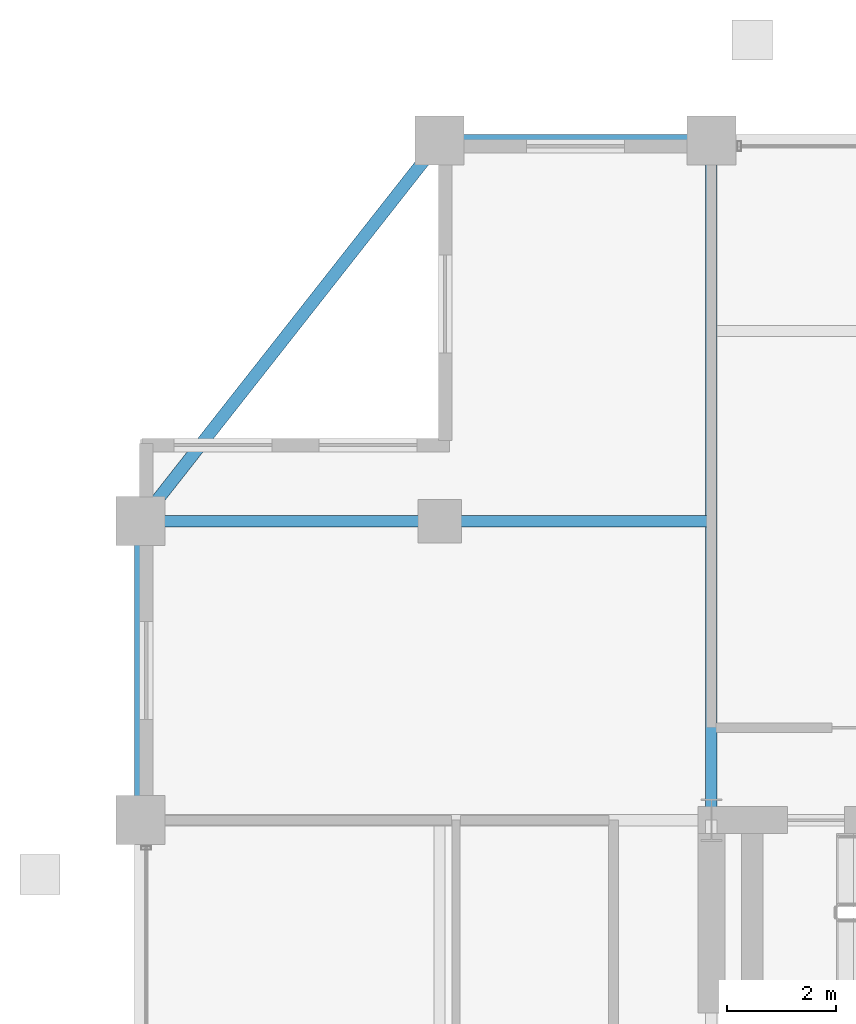
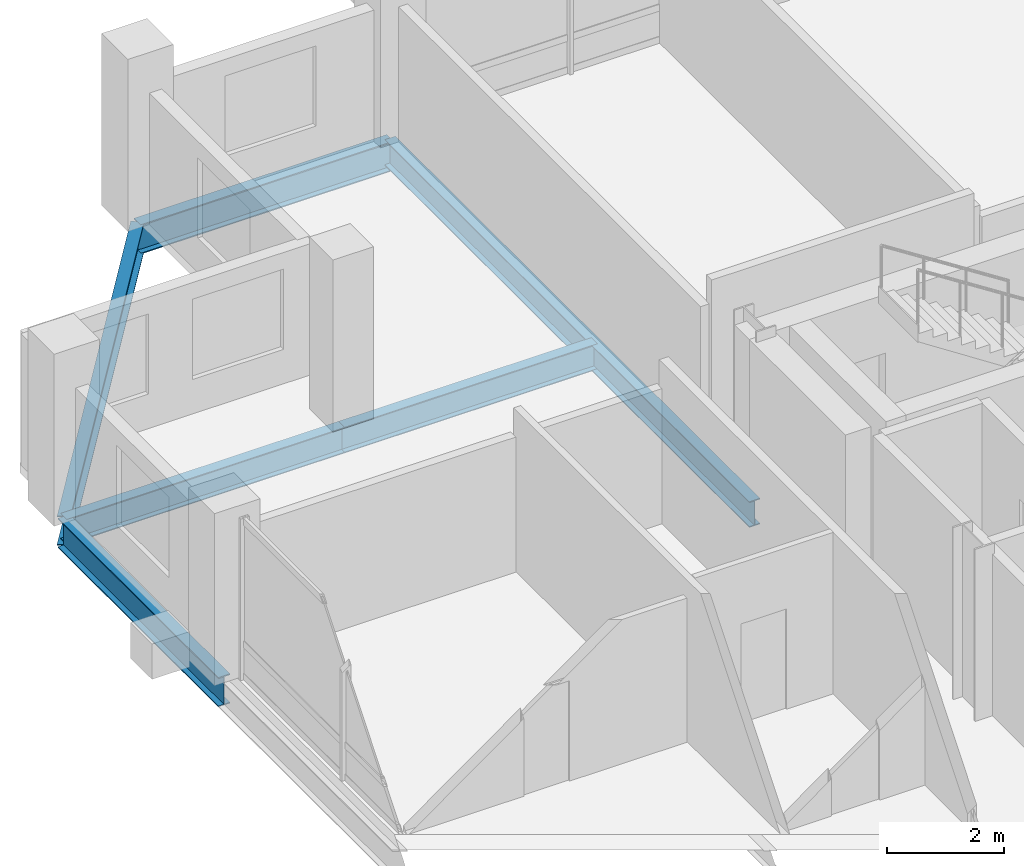
# One storey, part 11 of 21: 6 beams.
"""IFC4 building model written with IfcOpenShell, lengths in metres."""

from ifc_helpers import new_model, si_unit, direction, frame, origin, origin_2d, place, context, subcontext, project, spatial, i_section, extrude, material, material_profile, profile_set, type_object, element, save


model = new_model("IFC4")

# Units and contexts
model_context = context("Model", 3, precision=1e-05, world=origin(), true_north=direction((0.0, 1.0)))
body_context = subcontext(model_context, "Body", "Model", "MODEL_VIEW")
ifc_project = project(units=[si_unit("LENGTHUNIT", "METRE"), si_unit("AREAUNIT", "SQUARE_METRE"), si_unit("VOLUMEUNIT", "CUBIC_METRE"), si_unit("PLANEANGLEUNIT", "RADIAN"), si_unit("MASSUNIT", "GRAM", prefix="KILO")], contexts=[model_context])

# Site, building, storey
site_placement = place(None, origin())
site = spatial("IfcSite", under=ifc_project, at=site_placement, CompositionType="ELEMENT")
building_placement = place(site_placement, origin())
building = spatial("IfcBuilding", under=site, at=building_placement, Name="Barlavira Tower and Art Museum", CompositionType="ELEMENT")
storey_placement = place(building_placement, frame((0.0, 0.0, 287.10009765625)))
storey = spatial("IfcBuildingStorey", under=building, at=storey_placement, Name="L75", CompositionType="ELEMENT", Elevation=287.10009765625)

# Beams
ifc_material = material(Name="Steel S355", Category="steel")
ifc_material_profile_1 = material_profile(ifc_material, i_section(OverallWidth=0.22998046875, OverallDepth=0.616943359375, WebThickness=0.01318359375, FlangeThickness=0.022216796875, at=origin_2d()), Name="W610x140.0")
ifc_profile_set_1 = profile_set([ifc_material_profile_1], Name="Steel S355")
beam_type_1 = type_object("IfcBeamType", Name="Upper Shaft Spandrel Edge Beam W610x140 Steel S355", PredefinedType="SPANDREL", material=ifc_profile_set_1)
beam_1_placement = place(storey_placement, frame((-11.5, 20.0, -0.528564453125), z_axis=(1.0, 0.0, 0.0), x_axis=(0.0, 1.0, 0.0)))
element("IfcBeam", 1, at=beam_1_placement, inside=storey, type_object=beam_type_1, Name="L75 Spandrel 11", PredefinedType="SPANDREL", context=body_context, shape_type="SweptSolid", body=[
    extrude(i_section(OverallWidth=0.22998046875, OverallDepth=0.616943359375, WebThickness=0.01318359375, FlangeThickness=0.022216796875, at=origin_2d()), origin(), (0.0, 0.0, 1.0), 5.0),
])
beam_2_placement = place(storey_placement, frame((-11.5, 20.0, -0.528564453125), z_axis=(-0.617821551932, -0.786318338822, 0.0), x_axis=(0.786318338822, -0.617821551932, 0.0)))
element("IfcBeam", 2, at=beam_2_placement, inside=storey, type_object=beam_type_1, Name="L75 Spandrel 12", PredefinedType="SPANDREL", context=body_context, shape_type="SweptSolid", body=[
    extrude(i_section(OverallWidth=0.22998046875, OverallDepth=0.616943359375, WebThickness=0.01318359375, FlangeThickness=0.022216796875, at=origin_2d()), origin(), (0.0, 0.0, 1.0), 8.90234375),
])
beam_3_placement = place(storey_placement, frame((-17.0, 7.5, -0.528564453125), z_axis=(0.0, 1.0, 0.0), x_axis=(-1.0, 0.0, 0.0)))
element("IfcBeam", 3, at=beam_3_placement, inside=storey, type_object=beam_type_1, Name="L75 Spandrel 13", PredefinedType="SPANDREL", context=body_context, shape_type="SweptSolid", body=[
    extrude(i_section(OverallWidth=0.22998046875, OverallDepth=0.616943359375, WebThickness=0.01318359375, FlangeThickness=0.022216796875, at=origin_2d()), origin(), (0.0, 0.0, 1.0), 5.5),
])
ifc_material_profile_2 = material_profile(ifc_material, i_section(OverallWidth=0.2109375, OverallDepth=0.5390625, WebThickness=0.01171875, FlangeThickness=0.018798828125, at=origin_2d()), Name="W530x109.0")
ifc_profile_set_2 = profile_set([ifc_material_profile_2], Name="Steel S355")
beam_type_2 = type_object("IfcBeamType", Name="Zone 3-4 Primary Floor Girder W530x109 Steel S355", PredefinedType="BEAM", material=ifc_profile_set_2)
beam_4_placement = place(storey_placement, frame((-6.5, 7.5, -0.489501953125), z_axis=(0.0, 1.0, 0.0), x_axis=(-1.0, 0.0, 0.0)))
element("IfcBeam", 4, at=beam_4_placement, inside=storey, type_object=beam_type_2, Name="L75 Girder R-N1", PredefinedType="BEAM", context=body_context, shape_type="SweptSolid", body=[
    extrude(i_section(OverallWidth=0.2109375, OverallDepth=0.5390625, WebThickness=0.01171875, FlangeThickness=0.018798828125, at=origin_2d()), origin(), (0.0, 0.0, 1.0), 12.5),
])
beam_5_placement = place(storey_placement, frame((-17.0, 13.0, -0.489501953125), z_axis=(1.0, 0.0, 0.0), x_axis=(0.0, 1.0, 0.0)))
element("IfcBeam", 5, at=beam_5_placement, inside=storey, type_object=beam_type_2, Name="L75 Girder I-N1", PredefinedType="BEAM", context=body_context, shape_type="SweptSolid", body=[
    extrude(i_section(OverallWidth=0.2109375, OverallDepth=0.5390625, WebThickness=0.01171875, FlangeThickness=0.018798828125, at=origin_2d()), origin(), (0.0, 0.0, 1.0), 5.5),
])
beam_6_placement = place(storey_placement, frame((-11.5, 13.0, -0.489501953125), z_axis=(1.0, 0.0, 0.0), x_axis=(0.0, 1.0, 0.0)))
element("IfcBeam", 6, at=beam_6_placement, inside=storey, type_object=beam_type_2, Name="L75 Girder I-N2", PredefinedType="BEAM", context=body_context, shape_type="SweptSolid", body=[
    extrude(i_section(OverallWidth=0.2109375, OverallDepth=0.5390625, WebThickness=0.01171875, FlangeThickness=0.018798828125, at=origin_2d()), origin(), (0.0, 0.0, 1.0), 5.0),
])

save(model, "model.ifc")
